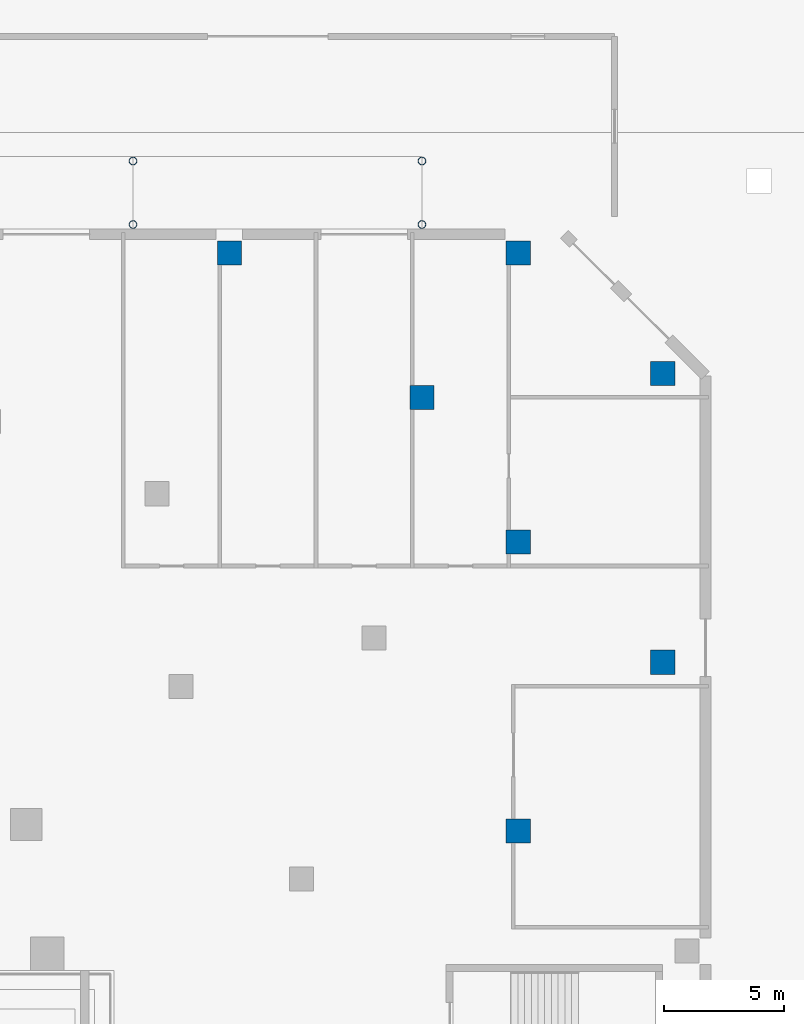
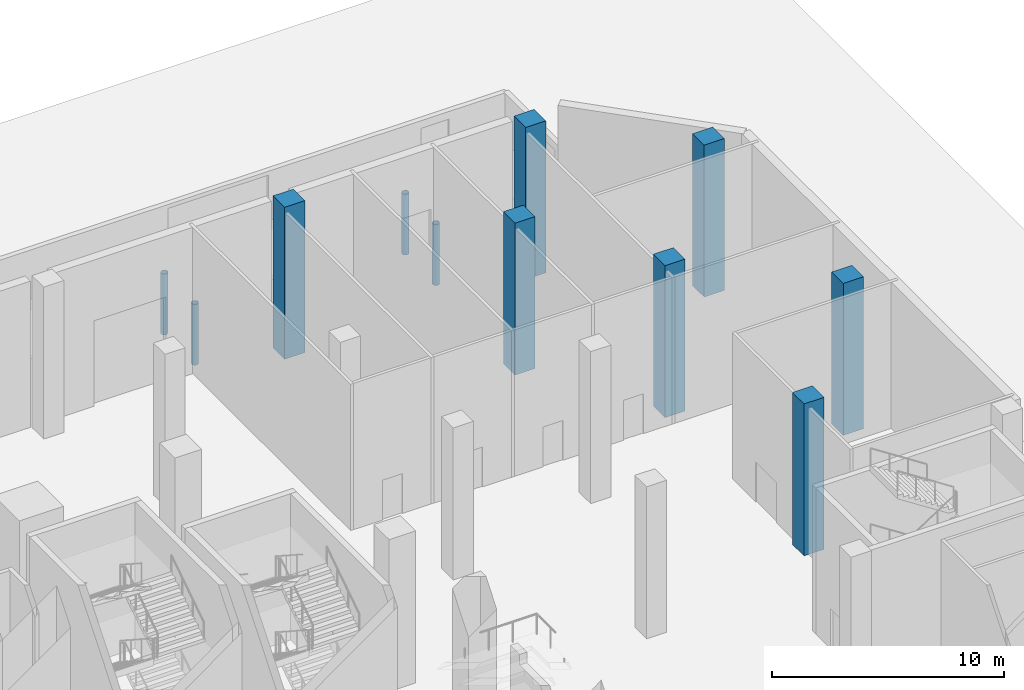
# One storey, part 14 of 41: 11 columns.
"""IFC4 building model written with IfcOpenShell, lengths in metres."""

from ifc_helpers import new_model, si_unit, direction, frame, origin, origin_2d, place, context, subcontext, project, spatial, rectangle, hollow_circle, extrude, material, material_profile, profile_set, type_object, element, save


model = new_model("IFC4")

# Units and contexts
model_context = context("Model", 3, precision=1e-05, world=origin(), true_north=direction((0.0, 1.0)))
body_context = subcontext(model_context, "Body", "Model", "MODEL_VIEW")
ifc_project = project(units=[si_unit("LENGTHUNIT", "METRE"), si_unit("AREAUNIT", "SQUARE_METRE"), si_unit("VOLUMEUNIT", "CUBIC_METRE"), si_unit("PLANEANGLEUNIT", "RADIAN"), si_unit("MASSUNIT", "GRAM", prefix="KILO")], contexts=[model_context])

# Site, building, storey
site_placement = place(None, origin())
site = spatial("IfcSite", under=ifc_project, at=site_placement, CompositionType="ELEMENT")
building_placement = place(site_placement, origin())
building = spatial("IfcBuilding", under=site, at=building_placement, Name="Wharfspan Tower", CompositionType="ELEMENT")
storey_placement = place(building_placement, origin())
storey = spatial("IfcBuildingStorey", under=building, at=storey_placement, Name="L00", CompositionType="ELEMENT", Elevation=0.0)

# Columns
ifc_material_1 = material(Name="Steel S355J2", Category="steel")
ifc_material_profile_1 = material_profile(ifc_material_1, hollow_circle(Radius=0.161865, WallThickness=0.01001, at=origin_2d()))
ifc_profile_set_1 = profile_set([ifc_material_profile_1], Name="Steel S355J2")
column_type_1 = type_object("IfcColumnType", Name="Canopy post CHS 323.9x10", PredefinedType="COLUMN", material=ifc_profile_set_1)
for number, where, z_axis, x_axis, name in (
    (1, (84.0, 58.818115, 0.0), (0.0, 0.0, 1.0), (1.0, 0.0, 0.0), "Canopy post"),
    (2, (96.0, 58.818115, 0.0), (0.0, 0.0, 1.0), (1.0, 0.0, 0.0), "Canopy post"),
    (3, (84.0, 56.181885, 0.0), (0.0, 0.0, 1.0), (1.0, 0.0, 0.0), "Canopy post"),
    (4, (96.0, 56.181885, 0.0), (0.0, 0.0, 1.0), (1.0, 0.0, 0.0), "Canopy post"),
):
    element("IfcColumn", number, at=place(storey_placement, frame(where, z_axis=z_axis, x_axis=x_axis)), inside=storey, type_object=column_type_1, Name=name, PredefinedType="COLUMN", context=body_context, shape_type="SweptSolid", body=[
        extrude(hollow_circle(Radius=0.161865, WallThickness=0.01001, at=origin_2d()), origin(), (0.0, 0.0, 1.0), 3.199951),
    ])
ifc_material_2 = material(Name="Concrete C60/75", Category="concrete")
ifc_material_profile_2 = material_profile(ifc_material_2, rectangle(XDim=1.0, YDim=1.0, at=origin_2d()))
ifc_profile_set_2 = profile_set([ifc_material_profile_2], Name="Concrete C60/75")
column_type_2 = type_object("IfcColumnType", Name="Concrete column 1000 square", PredefinedType="COLUMN", material=ifc_profile_set_2)
for number, where, z_axis, x_axis, name in (
    (5, (106.0, 50.0, 0.0), (0.0, 0.0, 1.0), (1.0, 0.0, 0.0), "Column D.1"),
    (6, (88.0, 55.0, 0.0), (0.0, 0.0, 1.0), (1.0, 0.0, 0.0), "Column D.6"),
    (7, (106.0, 38.0, 0.0), (0.0, 0.0, 1.0), (1.0, 0.0, 0.0), "Column D.17"),
    (8, (96.0, 49.0, 0.0), (0.0, 0.0, 1.0), (1.0, 0.0, 0.0), "Column D.27"),
    (9, (100.0, 31.0, 0.0), (0.0, 0.0, 1.0), (1.0, 0.0, 0.0), "Column D.38"),
    (10, (100.0, 43.0, 0.0), (0.0, 0.0, 1.0), (1.0, 0.0, 0.0), "Column D.59"),
    (11, (100.0, 55.0, 0.0), (0.0, 0.0, 1.0), (1.0, 0.0, 0.0), "Column D.60"),
):
    element("IfcColumn", number, at=place(storey_placement, frame(where, z_axis=z_axis, x_axis=x_axis)), inside=storey, type_object=column_type_2, Name=name, PredefinedType="COLUMN", context=body_context, shape_type="SweptSolid", body=[
        extrude(rectangle(XDim=1.0, YDim=1.0, at=origin_2d()), origin(), (0.0, 0.0, 1.0), 8.0),
    ])

save(model, "model.ifc")
